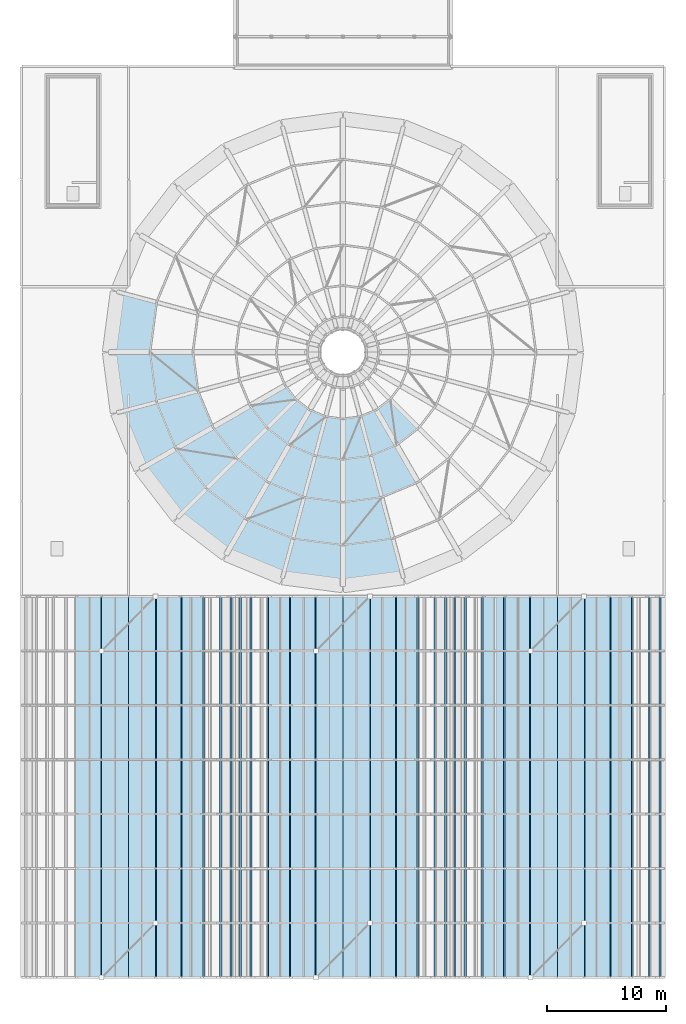
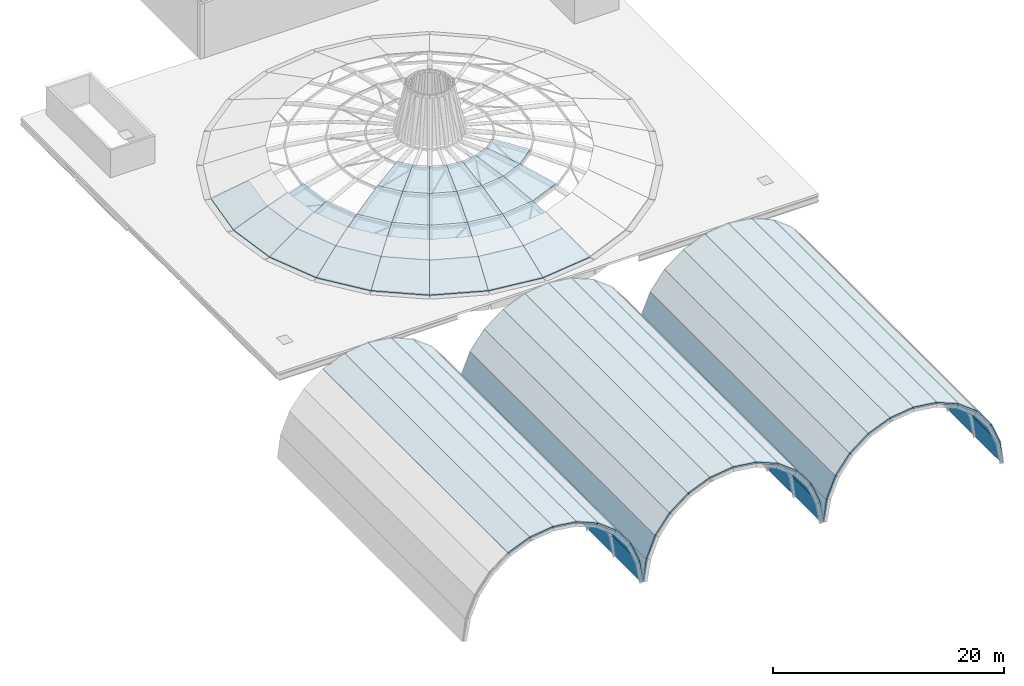
# One storey, part 17 of 25: 60 slabs.
"""IFC4 building model written with IfcOpenShell, lengths in metres."""

from ifc_helpers import new_model, si_unit, direction, frame, origin, place, context, subcontext, project, spatial, polyline, outline, extrude, material, layer, layer_set, type_object, element, save


model = new_model("IFC4")

# Units and contexts
model_context = context("Model", 3, precision=1e-05, world=origin(), true_north=direction((0.0, 1.0)))
body_context = subcontext(model_context, "Body", "Model", "MODEL_VIEW")
ifc_project = project(units=[si_unit("LENGTHUNIT", "METRE"), si_unit("AREAUNIT", "SQUARE_METRE"), si_unit("VOLUMEUNIT", "CUBIC_METRE"), si_unit("PLANEANGLEUNIT", "RADIAN"), si_unit("MASSUNIT", "GRAM", prefix="KILO")], contexts=[model_context])

# Site, building, storey
site_placement = place(None, origin())
site = spatial("IfcSite", under=ifc_project, at=site_placement, CompositionType="ELEMENT")
building_placement = place(site_placement, origin())
building = spatial("IfcBuilding", under=site, at=building_placement, Name="Marnock Terrace Opera House", CompositionType="ELEMENT")
storey_placement = place(building_placement, frame((0.0, 0.0, 28.199951171875)))
storey = spatial("IfcBuildingStorey", under=building, at=storey_placement, Name="RF", CompositionType="ELEMENT", Elevation=28.199951171875)

# Slabs
ifc_material = material(Name="Steel Grade 350 (AS/NZS 3679.1)", Category="steel")
ifc_layer = layer(ifc_material, 0.159912109375)
ifc_layer_set = layer_set([ifc_layer], Name="Steel Grade 350 (AS/NZS 3679.1)")
slab_type = type_object("IfcSlabType", Name="SL-CANOPY-160", PredefinedType="ROOF", material=ifc_layer_set)
slab_1_placement = place(storey_placement, frame((59.5, 8.0, -1.205810546875), z_axis=(-0.382703584926, 0.0, 0.92387118479), x_axis=(0.92387118479, 0.0, 0.382703584926)))
element("IfcSlab", 1, at=slab_1_placement, inside=storey, type_object=slab_type, Name="Barrel vault 1 composite structural shell facet 5", PredefinedType="ROOF", context=body_context, shape_type="SweptSolid", body=[
    extrude(outline(polyline([(0.0, 0.0), (2.349520509582028, 0.0), (2.349520509582028, 32.00000000000001), (0.0, 32.00000000000001), (0.0, 0.0)])), origin(), (0.0, 0.0, -1.0), 0.159912109375),
])
for number, where, z_axis, x_axis, name in (
    (2, (61.670654296875, 8.0, -0.306640625), (-0.130516337425, 0.0, 0.991446158732), (0.991446158732, 0.0, 0.130516337425), "Barrel vault 1 composite structural shell facet 6"),
    (3, (64.0, 8.0, 0.0), (0.130516337425, 0.0, 0.991446158732), (0.991446158732, 0.0, -0.130516337425), "Barrel vault 1 composite structural shell facet 7"),
):
    element("IfcSlab", number, at=place(storey_placement, frame(where, z_axis=z_axis, x_axis=x_axis)), inside=storey, type_object=slab_type, Name=name, PredefinedType="ROOF", context=body_context, shape_type="SweptSolid", body=[
        extrude(outline(polyline([(0.0, 0.0), (2.3494424610037363, 0.0), (2.3494424610037363, 32.0), (0.0, 32.0), (0.0, 0.0)])), origin(), (0.0, 0.0, -1.0), 0.159912109375),
    ])
slab_2_placement = place(storey_placement, frame((66.329345703125, 8.0, -0.306640625), z_axis=(0.382703584926, 0.0, 0.92387118479), x_axis=(0.92387118479, 0.0, -0.382703584926)))
element("IfcSlab", 4, at=slab_2_placement, inside=storey, type_object=slab_type, Name="Barrel vault 1 composite structural shell facet 8", PredefinedType="ROOF", context=body_context, shape_type="SweptSolid", body=[
    extrude(outline(polyline([(0.0, 0.0), (2.349520509582028, 0.0), (2.349520509582028, 32.00000000000001), (0.0, 32.00000000000001), (0.0, 0.0)])), origin(), (0.0, 0.0, -1.0), 0.159912109375),
])
for number, where, z_axis, x_axis, name in (
    (5, (68.5, 8.0, -1.205810546875), (0.608726008534, 0.0, 0.793380518121), (0.793380518121, 0.0, -0.608726008534), "Barrel vault 1 composite structural shell facet 9"),
    (6, (70.364013671875, 8.0, -2.635986328125), (0.793380518121, 0.0, 0.608726008534), (0.608726008534, 0.0, -0.793380518121), "Barrel vault 1 composite structural shell facet 10"),
):
    element("IfcSlab", number, at=place(storey_placement, frame(where, z_axis=z_axis, x_axis=x_axis)), inside=storey, type_object=slab_type, Name=name, PredefinedType="ROOF", context=body_context, shape_type="SweptSolid", body=[
        extrude(outline(polyline([(0.0, 0.0), (2.349457327599496, 0.0), (2.349457327599496, 32.0), (0.0, 32.0), (0.0, 0.0)])), origin(), (0.0, 0.0, -1.0), 0.159912109375),
    ])
slab_3_placement = place(storey_placement, frame((71.794189453125, 8.0, -4.5), z_axis=(0.92387118479, 0.0, 0.382703584926), x_axis=(0.382703584926, 0.0, -0.92387118479)))
element("IfcSlab", 7, at=slab_3_placement, inside=storey, type_object=slab_type, Name="Barrel vault 1 composite structural shell facet 11", PredefinedType="ROOF", context=body_context, shape_type="SweptSolid", body=[
    extrude(outline(polyline([(0.0, 0.0), (2.349520509582028, 0.0), (2.349520509582028, 32.00000000000001), (0.0, 32.00000000000001), (0.0, 0.0)])), origin(), (0.0, 0.0, -1.0), 0.159912109375),
])
for number, where, z_axis, x_axis, name in (
    (8, (72.693359375, 8.0, -6.670654296875), (0.991446158732, 0.0, 0.130516337425), (0.130516337425, 0.0, -0.991446158732), "Barrel vault 1 composite structural shell facet 12"),
    (9, (73.0, 8.0, -9.0), (-0.991446158732, 0.0, 0.130516337425), (0.130516337425, 0.0, 0.991446158732), "Barrel vault 2 composite structural shell facet 1"),
):
    element("IfcSlab", number, at=place(storey_placement, frame(where, z_axis=z_axis, x_axis=x_axis)), inside=storey, type_object=slab_type, Name=name, PredefinedType="ROOF", context=body_context, shape_type="SweptSolid", body=[
        extrude(outline(polyline([(0.0, 0.0), (2.3494424610037363, 0.0), (2.3494424610037363, 32.0), (0.0, 32.0), (0.0, 0.0)])), origin(), (0.0, 0.0, -1.0), 0.159912109375),
    ])
slab_4_placement = place(storey_placement, frame((73.306640625, 8.0, -6.670654296875), z_axis=(-0.92387118479, 0.0, 0.382703584926), x_axis=(0.382703584926, 0.0, 0.92387118479)))
element("IfcSlab", 10, at=slab_4_placement, inside=storey, type_object=slab_type, Name="Barrel vault 2 composite structural shell facet 2", PredefinedType="ROOF", context=body_context, shape_type="SweptSolid", body=[
    extrude(outline(polyline([(0.0, 0.0), (2.349520509582028, 0.0), (2.349520509582028, 32.00000000000001), (0.0, 32.00000000000001), (0.0, 0.0)])), origin(), (0.0, 0.0, -1.0), 0.159912109375),
])
for number, where, z_axis, x_axis, name in (
    (11, (74.205810546875, 8.0, -4.5), (-0.793380518121, 0.0, 0.608726008534), (0.608726008534, 0.0, 0.793380518121), "Barrel vault 2 composite structural shell facet 3"),
    (12, (75.635986328125, 8.0, -2.635986328125), (-0.608726008534, 0.0, 0.793380518121), (0.793380518121, 0.0, 0.608726008534), "Barrel vault 2 composite structural shell facet 4"),
):
    element("IfcSlab", number, at=place(storey_placement, frame(where, z_axis=z_axis, x_axis=x_axis)), inside=storey, type_object=slab_type, Name=name, PredefinedType="ROOF", context=body_context, shape_type="SweptSolid", body=[
        extrude(outline(polyline([(0.0, 0.0), (2.349457327599496, 0.0), (2.349457327599496, 32.0), (0.0, 32.0), (0.0, 0.0)])), origin(), (0.0, 0.0, -1.0), 0.159912109375),
    ])
slab_5_placement = place(storey_placement, frame((77.5, 8.0, -1.205810546875), z_axis=(-0.382703584926, 0.0, 0.92387118479), x_axis=(0.92387118479, 0.0, 0.382703584926)))
element("IfcSlab", 13, at=slab_5_placement, inside=storey, type_object=slab_type, Name="Barrel vault 2 composite structural shell facet 5", PredefinedType="ROOF", context=body_context, shape_type="SweptSolid", body=[
    extrude(outline(polyline([(0.0, 0.0), (2.349520509582028, 0.0), (2.349520509582028, 32.00000000000001), (0.0, 32.00000000000001), (0.0, 0.0)])), origin(), (0.0, 0.0, -1.0), 0.159912109375),
])
for number, where, z_axis, x_axis, name in (
    (14, (79.670654296875, 8.0, -0.306640625), (-0.130516337425, 0.0, 0.991446158732), (0.991446158732, 0.0, 0.130516337425), "Barrel vault 2 composite structural shell facet 6"),
    (15, (82.0, 8.0, 0.0), (0.130516337425, 0.0, 0.991446158732), (0.991446158732, 0.0, -0.130516337425), "Barrel vault 2 composite structural shell facet 7"),
):
    element("IfcSlab", number, at=place(storey_placement, frame(where, z_axis=z_axis, x_axis=x_axis)), inside=storey, type_object=slab_type, Name=name, PredefinedType="ROOF", context=body_context, shape_type="SweptSolid", body=[
        extrude(outline(polyline([(0.0, 0.0), (2.3494424610037363, 0.0), (2.3494424610037363, 32.0), (0.0, 32.0), (0.0, 0.0)])), origin(), (0.0, 0.0, -1.0), 0.159912109375),
    ])
slab_6_placement = place(storey_placement, frame((84.329345703125, 8.0, -0.306640625), z_axis=(0.382703584926, 0.0, 0.92387118479), x_axis=(0.92387118479, 0.0, -0.382703584926)))
element("IfcSlab", 16, at=slab_6_placement, inside=storey, type_object=slab_type, Name="Barrel vault 2 composite structural shell facet 8", PredefinedType="ROOF", context=body_context, shape_type="SweptSolid", body=[
    extrude(outline(polyline([(0.0, 0.0), (2.349520509582028, 0.0), (2.349520509582028, 32.00000000000001), (0.0, 32.00000000000001), (0.0, 0.0)])), origin(), (0.0, 0.0, -1.0), 0.159912109375),
])
for number, where, z_axis, x_axis, name in (
    (17, (86.5, 8.0, -1.205810546875), (0.608726008534, 0.0, 0.793380518121), (0.793380518121, 0.0, -0.608726008534), "Barrel vault 2 composite structural shell facet 9"),
    (18, (88.364013671875, 8.0, -2.635986328125), (0.793380518121, 0.0, 0.608726008534), (0.608726008534, 0.0, -0.793380518121), "Barrel vault 2 composite structural shell facet 10"),
):
    element("IfcSlab", number, at=place(storey_placement, frame(where, z_axis=z_axis, x_axis=x_axis)), inside=storey, type_object=slab_type, Name=name, PredefinedType="ROOF", context=body_context, shape_type="SweptSolid", body=[
        extrude(outline(polyline([(0.0, 0.0), (2.349457327599496, 0.0), (2.349457327599496, 32.0), (0.0, 32.0), (0.0, 0.0)])), origin(), (0.0, 0.0, -1.0), 0.159912109375),
    ])
slab_7_placement = place(storey_placement, frame((89.794189453125, 8.0, -4.5), z_axis=(0.92387118479, 0.0, 0.382703584926), x_axis=(0.382703584926, 0.0, -0.92387118479)))
element("IfcSlab", 19, at=slab_7_placement, inside=storey, type_object=slab_type, Name="Barrel vault 2 composite structural shell facet 11", PredefinedType="ROOF", context=body_context, shape_type="SweptSolid", body=[
    extrude(outline(polyline([(0.0, 0.0), (2.349520509582028, 0.0), (2.349520509582028, 32.00000000000001), (0.0, 32.00000000000001), (0.0, 0.0)])), origin(), (0.0, 0.0, -1.0), 0.159912109375),
])
for number, where, z_axis, x_axis, name in (
    (20, (90.693359375, 8.0, -6.670654296875), (0.991446158732, 0.0, 0.130516337425), (0.130516337425, 0.0, -0.991446158732), "Barrel vault 2 composite structural shell facet 12"),
    (21, (91.0, 8.0, -9.0), (-0.991446158732, 0.0, 0.130516337425), (0.130516337425, 0.0, 0.991446158732), "Barrel vault 3 composite structural shell facet 1"),
):
    element("IfcSlab", number, at=place(storey_placement, frame(where, z_axis=z_axis, x_axis=x_axis)), inside=storey, type_object=slab_type, Name=name, PredefinedType="ROOF", context=body_context, shape_type="SweptSolid", body=[
        extrude(outline(polyline([(0.0, 0.0), (2.3494424610037363, 0.0), (2.3494424610037363, 32.0), (0.0, 32.0), (0.0, 0.0)])), origin(), (0.0, 0.0, -1.0), 0.159912109375),
    ])
slab_8_placement = place(storey_placement, frame((91.306640625, 8.0, -6.670654296875), z_axis=(-0.92387118479, 0.0, 0.382703584926), x_axis=(0.382703584926, 0.0, 0.92387118479)))
element("IfcSlab", 22, at=slab_8_placement, inside=storey, type_object=slab_type, Name="Barrel vault 3 composite structural shell facet 2", PredefinedType="ROOF", context=body_context, shape_type="SweptSolid", body=[
    extrude(outline(polyline([(0.0, 0.0), (2.349520509582028, 0.0), (2.349520509582028, 32.00000000000001), (0.0, 32.00000000000001), (0.0, 0.0)])), origin(), (0.0, 0.0, -1.0), 0.159912109375),
])
for number, where, z_axis, x_axis, name in (
    (23, (92.205810546875, 8.0, -4.5), (-0.793380518121, 0.0, 0.608726008534), (0.608726008534, 0.0, 0.793380518121), "Barrel vault 3 composite structural shell facet 3"),
    (24, (93.635986328125, 8.0, -2.635986328125), (-0.608726008534, 0.0, 0.793380518121), (0.793380518121, 0.0, 0.608726008534), "Barrel vault 3 composite structural shell facet 4"),
):
    element("IfcSlab", number, at=place(storey_placement, frame(where, z_axis=z_axis, x_axis=x_axis)), inside=storey, type_object=slab_type, Name=name, PredefinedType="ROOF", context=body_context, shape_type="SweptSolid", body=[
        extrude(outline(polyline([(0.0, 0.0), (2.349457327599496, 0.0), (2.349457327599496, 32.0), (0.0, 32.0), (0.0, 0.0)])), origin(), (0.0, 0.0, -1.0), 0.159912109375),
    ])
slab_9_placement = place(storey_placement, frame((95.5, 8.0, -1.205810546875), z_axis=(-0.382703584926, 0.0, 0.92387118479), x_axis=(0.92387118479, 0.0, 0.382703584926)))
element("IfcSlab", 25, at=slab_9_placement, inside=storey, type_object=slab_type, Name="Barrel vault 3 composite structural shell facet 5", PredefinedType="ROOF", context=body_context, shape_type="SweptSolid", body=[
    extrude(outline(polyline([(0.0, 0.0), (2.349520509582028, 0.0), (2.349520509582028, 32.00000000000001), (0.0, 32.00000000000001), (0.0, 0.0)])), origin(), (0.0, 0.0, -1.0), 0.159912109375),
])
for number, where, z_axis, x_axis, name in (
    (26, (97.670654296875, 8.0, -0.306640625), (-0.130516337425, 0.0, 0.991446158732), (0.991446158732, 0.0, 0.130516337425), "Barrel vault 3 composite structural shell facet 6"),
    (27, (100.0, 8.0, 0.0), (0.130516337425, 0.0, 0.991446158732), (0.991446158732, 0.0, -0.130516337425), "Barrel vault 3 composite structural shell facet 7"),
):
    element("IfcSlab", number, at=place(storey_placement, frame(where, z_axis=z_axis, x_axis=x_axis)), inside=storey, type_object=slab_type, Name=name, PredefinedType="ROOF", context=body_context, shape_type="SweptSolid", body=[
        extrude(outline(polyline([(0.0, 0.0), (2.3494424610037363, 0.0), (2.3494424610037363, 32.0), (0.0, 32.0), (0.0, 0.0)])), origin(), (0.0, 0.0, -1.0), 0.159912109375),
    ])
slab_10_placement = place(storey_placement, frame((102.329345703125, 8.0, -0.306640625), z_axis=(0.382703584926, 0.0, 0.92387118479), x_axis=(0.92387118479, 0.0, -0.382703584926)))
element("IfcSlab", 28, at=slab_10_placement, inside=storey, type_object=slab_type, Name="Barrel vault 3 composite structural shell facet 8", PredefinedType="ROOF", context=body_context, shape_type="SweptSolid", body=[
    extrude(outline(polyline([(0.0, 0.0), (2.349520509582028, 0.0), (2.349520509582028, 32.00000000000001), (0.0, 32.00000000000001), (0.0, 0.0)])), origin(), (0.0, 0.0, -1.0), 0.159912109375),
])
for number, where, z_axis, x_axis, name in (
    (29, (104.5, 8.0, -1.205810546875), (0.608726008534, 0.0, 0.793380518121), (0.793380518121, 0.0, -0.608726008534), "Barrel vault 3 composite structural shell facet 9"),
    (30, (106.364013671875, 8.0, -2.635986328125), (0.793380518121, 0.0, 0.608726008534), (0.608726008534, 0.0, -0.793380518121), "Barrel vault 3 composite structural shell facet 10"),
):
    element("IfcSlab", number, at=place(storey_placement, frame(where, z_axis=z_axis, x_axis=x_axis)), inside=storey, type_object=slab_type, Name=name, PredefinedType="ROOF", context=body_context, shape_type="SweptSolid", body=[
        extrude(outline(polyline([(0.0, 0.0), (2.349457327599496, 0.0), (2.349457327599496, 32.0), (0.0, 32.0), (0.0, 0.0)])), origin(), (0.0, 0.0, -1.0), 0.159912109375),
    ])
slab_11_placement = place(storey_placement, frame((107.794189453125, 8.0, -4.5), z_axis=(0.92387118479, 0.0, 0.382703584926), x_axis=(0.382703584926, 0.0, -0.92387118479)))
element("IfcSlab", 31, at=slab_11_placement, inside=storey, type_object=slab_type, Name="Barrel vault 3 composite structural shell facet 11", PredefinedType="ROOF", context=body_context, shape_type="SweptSolid", body=[
    extrude(outline(polyline([(0.0, 0.0), (2.349520509582028, 0.0), (2.349520509582028, 32.00000000000001), (0.0, 32.00000000000001), (0.0, 0.0)])), origin(), (0.0, 0.0, -1.0), 0.159912109375),
])
slab_12_placement = place(storey_placement, frame((108.693359375, 8.0, -6.670654296875), z_axis=(0.991446158732, 0.0, 0.130516337425), x_axis=(0.130516337425, 0.0, -0.991446158732)))
element("IfcSlab", 32, at=slab_12_placement, inside=storey, type_object=slab_type, Name="Barrel vault 3 composite structural shell facet 12", PredefinedType="ROOF", context=body_context, shape_type="SweptSolid", body=[
    extrude(outline(polyline([(0.0, 0.0), (2.3494424610037363, 0.0), (2.3494424610037363, 32.0), (0.0, 32.0), (0.0, 0.0)])), origin(), (0.0, 0.0, -1.0), 0.159912109375),
])
slab_13_placement = place(storey_placement, frame((63.06787109375, 65.57275390625, 0.0), z_axis=(-0.372737502488, 0.049076973544, 0.926638119714), x_axis=(-0.130549215212, -0.99144183006, -3.910875e-06)))
element("IfcSlab", 33, at=slab_13_placement, inside=storey, type_object=slab_type, Name="Auditorium dome structural composite shell facet 12.1", PredefinedType="ROOF", context=body_context, shape_type="SweptSolid", body=[
    extrude(outline(polyline([(0.0, 0.0), (5.1165432123539105, 1.1102230246251565e-16), (4.672651408404176, 3.63792430154139), (0.44360019623607033, 3.6378270837920965), (0.0, 0.0)])), origin(), (0.0, 0.0, -1.0), 0.159912109375),
])
slab_14_placement = place(storey_placement, frame((62.39990234375, 60.5, 0.0), z_axis=(-0.372737502488, -0.049076973544, 0.926638119714), x_axis=(0.130549215212, -0.99144183006, 3.910875e-06)))
element("IfcSlab", 34, at=slab_14_placement, inside=storey, type_object=slab_type, Name="Auditorium dome structural composite shell facet 13.1", PredefinedType="ROOF", context=body_context, shape_type="SweptSolid", body=[
    extrude(outline(polyline([(0.0, 0.0), (5.1165432123539105, -1.1102230246251565e-16), (4.6729430161178405, 3.6378270837920965), (0.4438918039497345, 3.637924301541389), (0.0, 0.0)])), origin(), (0.0, 0.0, -1.0), 0.159912109375),
])
slab_15_placement = place(storey_placement, frame((65.800048828125, 60.5, 1.36767578125), z_axis=(-0.299991977865, -0.039498485229, 0.953123645117), x_axis=(0.130527320416, -0.991444712837, -3.583301e-06)))
element("IfcSlab", 35, at=slab_15_placement, inside=storey, type_object=slab_type, Name="Auditorium dome structural composite shell facet 13.2", PredefinedType="ROOF", context=body_context, shape_type="SweptSolid", body=[
    extrude(outline(polyline([(0.0, 0.0), (4.229051213310776, 0.0), (3.7592589697567247, 3.7446824733688877), (0.46987517320237404, 3.744593436700083), (0.0, 0.0)])), origin(), (0.0, 0.0, -1.0), 0.159912109375),
])
slab_16_placement = place(storey_placement, frame((63.06787109375, 55.42724609375, 0.0), z_axis=(-0.347343037606, -0.143869374216, 0.926636076024), x_axis=(0.382667294921, -0.923886216691, -2.278383e-06)))
element("IfcSlab", 36, at=slab_16_placement, inside=storey, type_object=slab_type, Name="Auditorium dome structural composite shell facet 14.1", PredefinedType="ROOF", context=body_context, shape_type="SweptSolid", body=[
    extrude(outline(polyline([(0.0, 0.0), (5.116748173599901, 0.0), (4.672978093943289, 3.63785527228763), (0.44383343819057464, 3.6377986344936635), (0.0, 0.0)])), origin(), (0.0, 0.0, -1.0), 0.159912109375),
])
slab_17_placement = place(storey_placement, frame((66.35205078125, 56.30712890625, 1.36767578125), z_axis=(-0.279543308706, -0.115792692457, 0.953125170652), x_axis=(0.382680659252, -0.923880681163, -2.952305e-06)))
element("IfcSlab", 37, at=slab_17_placement, inside=storey, type_object=slab_type, Name="Auditorium dome structural composite shell facet 14.2", PredefinedType="ROOF", context=body_context, shape_type="SweptSolid", body=[
    extrude(outline(polyline([(0.0, 0.0), (4.2291446561303925, 2.220446049250313e-16), (3.7591851968493732, 3.7447341051070744), (0.4699653927634346, 3.7446607467360202), (0.0, 0.0)])), origin(), (0.0, 0.0, -1.0), 0.159912109375),
])
slab_18_placement = place(storey_placement, frame((65.02587890625, 50.699951171875, 0.0), z_axis=(-0.29826193601, -0.228864891661, 0.926639454638), x_axis=(0.608752619373, -0.79336010007, -4.897854e-06)))
element("IfcSlab", 38, at=slab_18_placement, inside=storey, type_object=slab_type, Name="Auditorium dome structural composite shell facet 15.1", PredefinedType="ROOF", context=body_context, shape_type="SweptSolid", body=[
    extrude(outline(polyline([(0.0, 0.0), (5.116617261186224, -4.440892098500626e-16), (4.6727593735698125, 3.6379684088453295), (0.4438407050040428, 3.6378466561576954), (0.0, 0.0)])), origin(), (0.0, 0.0, -1.0), 0.159912109375),
])
slab_19_placement = place(storey_placement, frame((67.970458984375, 52.39990234375, 1.36767578125), z_axis=(-0.240038476037, -0.184199808034, 0.953127463009), x_axis=(0.608776634926, -0.79334167214, -3.743486e-06)))
element("IfcSlab", 39, at=slab_19_placement, inside=storey, type_object=slab_type, Name="Auditorium dome structural composite shell facet 15.2", PredefinedType="ROOF", context=body_context, shape_type="SweptSolid", body=[
    extrude(outline(polyline([(0.0, 0.0), (4.228918670372289, 4.440892098500626e-16), (3.7590756487542865, 3.744833305238259), (0.4699101820801662, 3.7447402889910673), (0.0, 0.0)])), origin(), (0.0, 0.0, -1.0), 0.159912109375),
])
slab_20_placement = place(storey_placement, frame((71.088134765625, 54.199951171875, 2.500732421875), z_axis=(-0.180116902874, -0.138211191094, 0.973886835292), x_axis=(0.608797658031, -0.793325539424, 8.502952e-06)))
element("IfcSlab", 40, at=slab_20_placement, inside=storey, type_object=slab_type, Name="Auditorium dome structural composite shell facet 15.3", PredefinedType="ROOF", context=body_context, shape_type="SweptSolid", body=[
    extrude(outline(polyline([(0.0, 0.0), (3.2891654679059217, 0.0), (2.81947339921853, 3.664681580689559), (0.4700160812854151, 3.664892760247147), (0.0, 0.0)])), origin(), (0.0, 0.0, -1.0), 0.159912109375),
])
slab_21_placement = place(storey_placement, frame((74.205810546875, 56.0, 3.332763671875), z_axis=(-0.121729752011, -0.093412964321, 0.988157824222), x_axis=(0.608727464462, -0.793379400962, -1.1818339e-05)))
element("IfcSlab", 41, at=slab_21_placement, inside=storey, type_object=slab_type, Name="Auditorium dome structural composite shell facet 15.4", PredefinedType="ROOF", context=body_context, shape_type="SweptSolid", body=[
    extrude(outline(polyline([(0.0, 0.0), (2.349457327431462, 0.0), (1.9054930673795294, 3.4114761435019214), (0.44358572118923034, 3.4111825842641275), (0.0, 0.0)])), origin(), (0.0, 0.0, -1.0), 0.159912109375),
])
slab_22_placement = place(storey_placement, frame((68.140625, 46.640625, 0.0), z_axis=(-0.228864891661, -0.29826193601, 0.926639454638), x_axis=(0.79336010007, -0.608752619373, 4.897854e-06)))
element("IfcSlab", 42, at=slab_22_placement, inside=storey, type_object=slab_type, Name="Auditorium dome structural composite shell facet 16.1", PredefinedType="ROOF", context=body_context, shape_type="SweptSolid", body=[
    extrude(outline(polyline([(0.0, 0.0), (5.116617261186224, 4.440892098500626e-16), (4.672776556182183, 3.637846656157696), (0.4438578876164122, 3.6379684088453303), (0.0, 0.0)])), origin(), (0.0, 0.0, -1.0), 0.159912109375),
])
slab_23_placement = place(storey_placement, frame((70.544921875, 49.044921875, 1.36767578125), z_axis=(-0.184199808034, -0.240038476037, 0.953127463009), x_axis=(0.79334167214, -0.608776634926, 3.743486e-06)))
element("IfcSlab", 43, at=slab_23_placement, inside=storey, type_object=slab_type, Name="Auditorium dome structural composite shell facet 16.2", PredefinedType="ROOF", context=body_context, shape_type="SweptSolid", body=[
    extrude(outline(polyline([(0.0, 0.0), (4.228918670372289, -4.440892098500626e-16), (3.7590084882921224, 3.744740288991067), (0.4698430216180026, 3.7448333052382585), (0.0, 0.0)])), origin(), (0.0, 0.0, -1.0), 0.159912109375),
])
slab_24_placement = place(storey_placement, frame((73.090576171875, 51.590576171875, 2.500732421875), z_axis=(-0.138211191094, -0.180116902874, 0.973886835292), x_axis=(0.793325539424, -0.608797658031, -8.502952e-06)))
element("IfcSlab", 44, at=slab_24_placement, inside=storey, type_object=slab_type, Name="Auditorium dome structural composite shell facet 16.3", PredefinedType="ROOF", context=body_context, shape_type="SweptSolid", body=[
    extrude(outline(polyline([(0.0, 0.0), (3.2891654679059217, 0.0), (2.8191493866205066, 3.664892760247147), (0.4696920686873917, 3.6646815806895594), (0.0, 0.0)])), origin(), (0.0, 0.0, -1.0), 0.159912109375),
])
slab_25_placement = place(storey_placement, frame((75.635986328125, 54.135986328125, 3.332763671875), z_axis=(-0.093412964321, -0.121729752011, 0.988157824222), x_axis=(0.793379400962, -0.608727464462, 1.1818339e-05)))
element("IfcSlab", 45, at=slab_25_placement, inside=storey, type_object=slab_type, Name="Auditorium dome structural composite shell facet 16.4", PredefinedType="ROOF", context=body_context, shape_type="SweptSolid", body=[
    extrude(outline(polyline([(0.0, 0.0), (2.349457327431462, 0.0), (1.9058716062422314, 3.411182584264128), (0.4439642600519328, 3.4114761435019214), (0.0, 0.0)])), origin(), (0.0, 0.0, -1.0), 0.159912109375),
])
slab_26_placement = place(storey_placement, frame((72.199951171875, 43.52587890625, 0.0), z_axis=(-0.143869374216, -0.347343037606, 0.926636076024), x_axis=(0.923886216691, -0.382667294921, 2.278383e-06)))
element("IfcSlab", 46, at=slab_26_placement, inside=storey, type_object=slab_type, Name="Auditorium dome structural composite shell facet 17.1", PredefinedType="ROOF", context=body_context, shape_type="SweptSolid", body=[
    extrude(outline(polyline([(0.0, 0.0), (5.116748173599901, 0.0), (4.672914735409326, 3.6377986344936635), (0.4437700796566124, 3.6378552722876294), (0.0, 0.0)])), origin(), (0.0, 0.0, -1.0), 0.159912109375),
])
slab_27_placement = place(storey_placement, frame((73.89990234375, 46.470458984375, 1.36767578125), z_axis=(-0.115792692457, -0.279543308706, 0.953125170652), x_axis=(0.923880681163, -0.382680659252, 2.952305e-06)))
element("IfcSlab", 47, at=slab_27_placement, inside=storey, type_object=slab_type, Name="Auditorium dome structural composite shell facet 17.2", PredefinedType="ROOF", context=body_context, shape_type="SweptSolid", body=[
    extrude(outline(polyline([(0.0, 0.0), (4.2291446561303925, -2.220446049250313e-16), (3.7591792633669576, 3.74466074673602), (0.46995945928101884, 3.7447341051070744), (0.0, 0.0)])), origin(), (0.0, 0.0, -1.0), 0.159912109375),
])
slab_28_placement = place(storey_placement, frame((75.699951171875, 49.588134765625, 2.500732421875), z_axis=(-0.086883568143, -0.209743362037, 0.973888580726), x_axis=(0.923872065718, -0.382701458301, 2.16716e-07)))
element("IfcSlab", 48, at=slab_28_placement, inside=storey, type_object=slab_type, Name="Auditorium dome structural composite shell facet 17.3", PredefinedType="ROOF", context=body_context, shape_type="SweptSolid", body=[
    extrude(outline(polyline([(0.0, 0.0), (3.289219804929987, -2.220446049250313e-16), (2.81939645112944, 3.6649053476592353), (0.46987594155369106, 3.6649107303114556), (0.0, 0.0)])), origin(), (0.0, 0.0, -1.0), 0.159912109375),
])
slab_29_placement = place(storey_placement, frame((77.5, 52.705810546875, 3.332763671875), z_axis=(-0.058719349731, -0.141765848874, 0.988157114056), x_axis=(0.923871489167, -0.382702850106, -5.121992e-06)))
element("IfcSlab", 49, at=slab_29_placement, inside=storey, type_object=slab_type, Name="Auditorium dome structural composite shell facet 17.4", PredefinedType="ROOF", context=body_context, shape_type="SweptSolid", body=[
    extrude(outline(polyline([(0.0, 0.0), (2.3495205095504654, -2.220446049250313e-16), (1.9055515461194905, 3.4112913037863635), (0.4437279846787492, 3.411164081583303), (0.0, 0.0)])), origin(), (0.0, 0.0, -1.0), 0.159912109375),
])
slab_30_placement = place(storey_placement, frame((76.92724609375, 41.56787109375, 0.0), z_axis=(-0.049076973544, -0.372737502488, 0.926638119714), x_axis=(0.99144183006, -0.130549215212, -3.910875e-06)))
element("IfcSlab", 50, at=slab_30_placement, inside=storey, type_object=slab_type, Name="Auditorium dome structural composite shell facet 18.1", PredefinedType="ROOF", context=body_context, shape_type="SweptSolid", body=[
    extrude(outline(polyline([(0.0, 0.0), (5.1165432123539105, 1.1102230246251565e-16), (4.672651408404176, 3.63792430154139), (0.44360019623607033, 3.6378270837920965), (0.0, 0.0)])), origin(), (0.0, 0.0, -1.0), 0.159912109375),
])
slab_31_placement = place(storey_placement, frame((77.80712890625, 44.85205078125, 1.36767578125), z_axis=(-0.039498485229, -0.299991977865, 0.953123645117), x_axis=(0.991444712837, -0.130527320416, 3.583301e-06)))
element("IfcSlab", 51, at=slab_31_placement, inside=storey, type_object=slab_type, Name="Auditorium dome structural composite shell facet 18.2", PredefinedType="ROOF", context=body_context, shape_type="SweptSolid", body=[
    extrude(outline(polyline([(0.0, 0.0), (4.229051213310776, 0.0), (3.7591760401084025, 3.744593436700083), (0.46979224355405136, 3.7446824733688873), (0.0, 0.0)])), origin(), (0.0, 0.0, -1.0), 0.159912109375),
])
slab_32_placement = place(storey_placement, frame((78.73876953125, 48.329345703125, 2.500732421875), z_axis=(-0.029635482172, -0.225082224299, 0.973888972368), x_axis=(0.991441261576, -0.130553532437, -3.531859e-06)))
element("IfcSlab", 52, at=slab_32_placement, inside=storey, type_object=slab_type, Name="Auditorium dome structural composite shell facet 18.3", PredefinedType="ROOF", context=body_context, shape_type="SweptSolid", body=[
    extrude(outline(polyline([(0.0, 0.0), (3.289383797776162, -5.551115123125783e-17), (2.8193753930162853, 3.6649790224264693), (0.46993293368056516, 3.664891298357737), (0.0, 0.0)])), origin(), (0.0, 0.0, -1.0), 0.159912109375),
])
slab_33_placement = place(storey_placement, frame((79.670654296875, 51.806640625, 3.332763671875), z_axis=(-0.020031128711, -0.152130426981, 0.988157420186), x_axis=(0.991446073019, -0.130516988464, 4.228795e-06)))
element("IfcSlab", 53, at=slab_33_placement, inside=storey, type_object=slab_type, Name="Auditorium dome structural composite shell facet 18.4", PredefinedType="ROOF", context=body_context, shape_type="SweptSolid", body=[
    extrude(outline(polyline([(0.0, 0.0), (2.3494424609822224, 5.551115123125783e-17), (1.90569965951369, 3.4112190034482923), (0.44371733029213695, 3.411324043626475), (0.0, 0.0)])), origin(), (0.0, 0.0, -1.0), 0.159912109375),
])
slab_34_placement = place(storey_placement, frame((82.0, 40.89990234375, 0.0), z_axis=(0.049076973544, -0.372737502488, 0.926638119714), x_axis=(0.99144183006, 0.130549215212, 3.910875e-06)))
element("IfcSlab", 54, at=slab_34_placement, inside=storey, type_object=slab_type, Name="Auditorium dome structural composite shell facet 19.1", PredefinedType="ROOF", context=body_context, shape_type="SweptSolid", body=[
    extrude(outline(polyline([(0.0, 0.0), (5.1165432123539105, -1.1102230246251565e-16), (4.6729430161178405, 3.6378270837920965), (0.4438918039497345, 3.637924301541389), (0.0, 0.0)])), origin(), (0.0, 0.0, -1.0), 0.159912109375),
])
slab_35_placement = place(storey_placement, frame((82.0, 44.300048828125, 1.36767578125), z_axis=(0.039498485229, -0.299991977865, 0.953123645117), x_axis=(0.991444712837, 0.130527320416, -3.583301e-06)))
element("IfcSlab", 55, at=slab_35_placement, inside=storey, type_object=slab_type, Name="Auditorium dome structural composite shell facet 19.2", PredefinedType="ROOF", context=body_context, shape_type="SweptSolid", body=[
    extrude(outline(polyline([(0.0, 0.0), (4.229051213310776, 0.0), (3.7592589697567247, 3.7446824733688877), (0.46987517320237404, 3.744593436700083), (0.0, 0.0)])), origin(), (0.0, 0.0, -1.0), 0.159912109375),
])
slab_36_placement = place(storey_placement, frame((82.0, 47.89990234375, 2.500732421875), z_axis=(0.029635482172, -0.225082224299, 0.973888972368), x_axis=(0.991441261576, 0.130553532437, 3.531859e-06)))
element("IfcSlab", 56, at=slab_36_placement, inside=storey, type_object=slab_type, Name="Auditorium dome structural composite shell facet 19.3", PredefinedType="ROOF", context=body_context, shape_type="SweptSolid", body=[
    extrude(outline(polyline([(0.0, 0.0), (3.289383797776162, 5.551115123125783e-17), (2.8194508640955966, 3.664891298357737), (0.4700084047598771, 3.6649790224264693), (0.0, 0.0)])), origin(), (0.0, 0.0, -1.0), 0.159912109375),
])
slab_37_placement = place(storey_placement, frame((82.0, 51.5, 3.332763671875), z_axis=(0.020031128711, -0.152130426981, 0.988157420186), x_axis=(0.991446073019, 0.130516988464, -4.228795e-06)))
element("IfcSlab", 57, at=slab_37_placement, inside=storey, type_object=slab_type, Name="Auditorium dome structural composite shell facet 19.4", PredefinedType="ROOF", context=body_context, shape_type="SweptSolid", body=[
    extrude(outline(polyline([(0.0, 0.0), (2.3494424609822224, -5.551115123125783e-17), (1.905725130690085, 3.411324043626475), (0.44374280146853234, 3.4112190034482923), (0.0, 0.0)])), origin(), (0.0, 0.0, -1.0), 0.159912109375),
])
slab_38_placement = place(storey_placement, frame((85.26123046875, 48.329345703125, 2.500732421875), z_axis=(0.086883568143, -0.209743362037, 0.973888580726), x_axis=(0.923872065718, 0.382701458301, -2.16716e-07)))
element("IfcSlab", 58, at=slab_38_placement, inside=storey, type_object=slab_type, Name="Auditorium dome structural composite shell facet 20.3", PredefinedType="ROOF", context=body_context, shape_type="SweptSolid", body=[
    extrude(outline(polyline([(0.0, 0.0), (3.289219804929987, 2.220446049250313e-16), (2.8193438633762957, 3.6649107303114556), (0.46982335380054696, 3.6649053476592353), (0.0, 0.0)])), origin(), (0.0, 0.0, -1.0), 0.159912109375),
])
slab_39_placement = place(storey_placement, frame((84.329345703125, 51.806640625, 3.332763671875), z_axis=(0.058719349731, -0.141765848874, 0.988157114056), x_axis=(0.923871489167, 0.382702850106, 5.121992e-06)))
element("IfcSlab", 59, at=slab_39_placement, inside=storey, type_object=slab_type, Name="Auditorium dome structural composite shell facet 20.4", PredefinedType="ROOF", context=body_context, shape_type="SweptSolid", body=[
    extrude(outline(polyline([(0.0, 0.0), (2.3495205095504654, 2.220446049250313e-16), (1.9057925248717162, 3.411164081583303), (0.443968963430975, 3.411291303786364), (0.0, 0.0)])), origin(), (0.0, 0.0, -1.0), 0.159912109375),
])
slab_40_placement = place(storey_placement, frame((86.5, 52.705810546875, 3.332763671875), z_axis=(0.093412964321, -0.121729752011, 0.988157824222), x_axis=(0.793379400962, 0.608727464462, -1.1818339e-05)))
element("IfcSlab", 60, at=slab_40_placement, inside=storey, type_object=slab_type, Name="Auditorium dome structural composite shell facet 21.4", PredefinedType="ROOF", context=body_context, shape_type="SweptSolid", body=[
    extrude(outline(polyline([(0.0, 0.0), (2.349457327431462, 0.0), (1.9054930673795294, 3.4114761435019214), (0.44358572118923034, 3.4111825842641275), (0.0, 0.0)])), origin(), (0.0, 0.0, -1.0), 0.159912109375),
])

save(model, "model.ifc")
